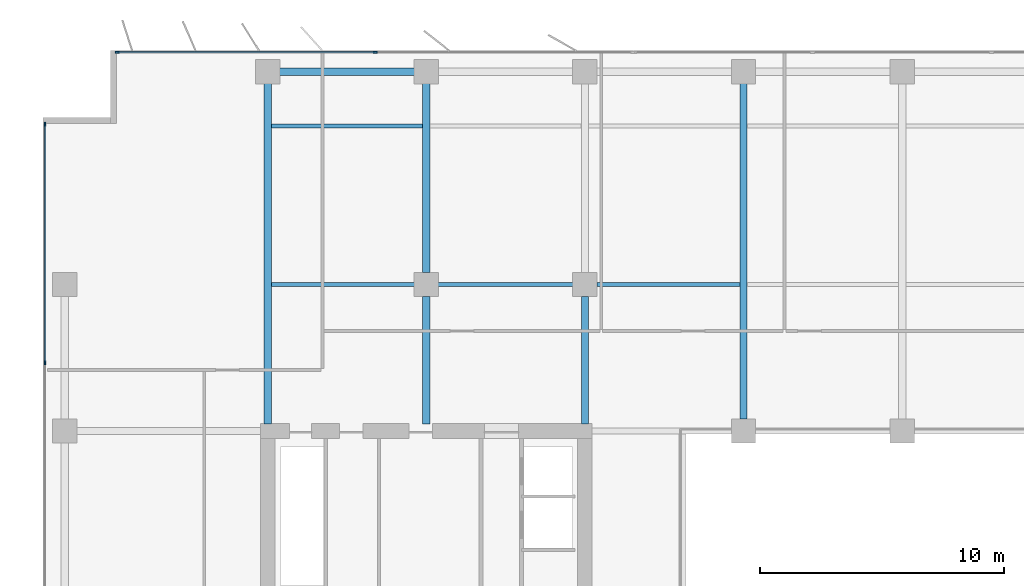
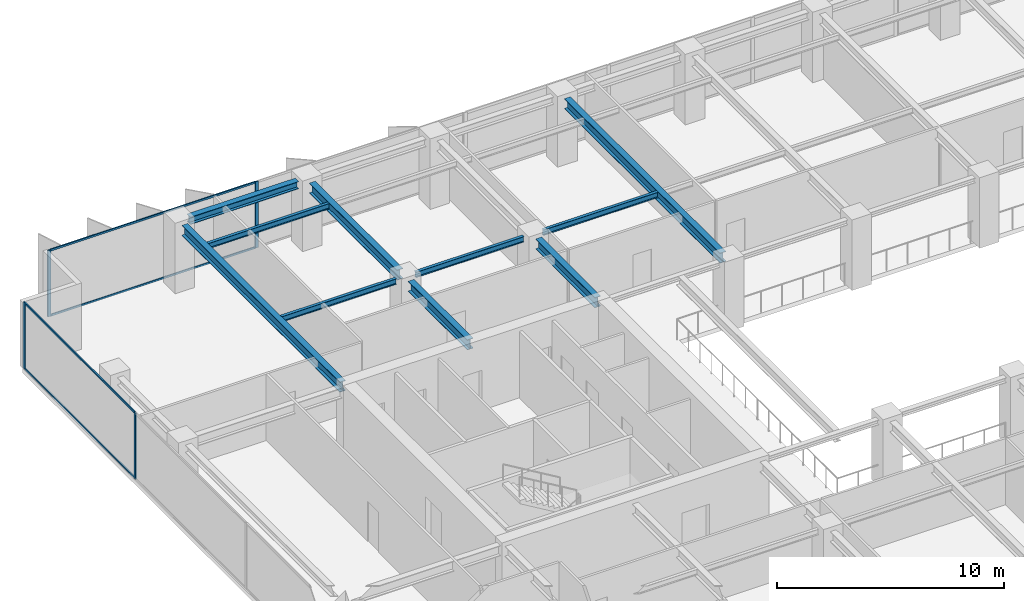
# One storey, part 8 of 22: 10 beams, 8 members, 2 elements without a shape of their own.
"""IFC4 building model written with IfcOpenShell, lengths in metres."""

from ifc_helpers import new_model, si_unit, direction, frame, origin, origin_2d, place, context, subcontext, project, spatial, rectangle, i_section, extrude, material, layer, layer_set, material_profile, profile_set, type_object, element, aggregate, save


model = new_model("IFC4")

# Units and contexts
model_context = context("Model", 3, precision=1e-05, world=origin(), true_north=direction((0.0, 1.0)))
body_context = subcontext(model_context, "Body", "Model", "MODEL_VIEW")
ifc_project = project(units=[si_unit("LENGTHUNIT", "METRE"), si_unit("AREAUNIT", "SQUARE_METRE"), si_unit("VOLUMEUNIT", "CUBIC_METRE"), si_unit("PLANEANGLEUNIT", "RADIAN"), si_unit("MASSUNIT", "GRAM", prefix="KILO")], contexts=[model_context])

# Site, building, storey
site_placement = place(None, origin())
site = spatial("IfcSite", under=ifc_project, at=site_placement, CompositionType="ELEMENT")
building_placement = place(site_placement, origin())
building = spatial("IfcBuilding", under=site, at=building_placement, Name="Putna Gate Headquarters", CompositionType="ELEMENT")
storey_placement = place(building_placement, frame((0.0, 0.0, 170.800048828125)))
storey = spatial("IfcBuildingStorey", under=building, at=storey_placement, Name="L42", CompositionType="ELEMENT", Elevation=170.800048828125)

# Beams
ifc_material_1 = material(Name="Steel S355J2", Category="steel")
ifc_material_profile_1 = material_profile(ifc_material_1, i_section(OverallWidth=0.300048828125, OverallDepth=0.550048828125, WebThickness=0.014892578125, FlangeThickness=0.029052734375, at=origin_2d()), Name="Steel S355J2")
ifc_profile_set_1 = profile_set([ifc_material_profile_1], Name="Steel S355J2")
beam_type_1 = type_object("IfcBeamType", Name="BM-GIRD-Z3-HEB550", PredefinedType="USERDEFINED", material=ifc_profile_set_1)
beam_1_placement = place(storey_placement, frame((13.0, 33.284912109375, 3.296875), z_axis=(0.0, 1.0, 0.0), x_axis=(-1.0, 0.0, 0.0)))
element("IfcBeam", 1, at=beam_1_placement, inside=storey, type_object=beam_type_1, Name="L42 North Primary Girder X13", ObjectType="GIRDER", PredefinedType="USERDEFINED", context=body_context, shape_type="SweptSolid", body=[
    extrude(i_section(OverallWidth=0.300048828125, OverallDepth=0.550048828125, WebThickness=0.014892578125, FlangeThickness=0.029052734375, at=origin_2d()), origin(), (0.0, 0.0, 1.0), 13.947021484375),
])
beam_2_placement = place(storey_placement, frame((19.5, 33.284912109375, 3.296875), z_axis=(0.0, 1.0, 0.0), x_axis=(-1.0, 0.0, 0.0)))
element("IfcBeam", 2, at=beam_2_placement, inside=storey, type_object=beam_type_1, Name="L42 North Primary Girder X19-1", ObjectType="GIRDER", PredefinedType="USERDEFINED", context=body_context, shape_type="SweptSolid", body=[
    extrude(i_section(OverallWidth=0.300048828125, OverallDepth=0.550048828125, WebThickness=0.014892578125, FlangeThickness=0.029052734375, at=origin_2d()), origin(), (0.0, 0.0, 1.0), 5.22705078125),
])
beam_3_placement = place(storey_placement, frame((19.5, 39.488037109375, 3.296875), z_axis=(0.0, 1.0, 0.0), x_axis=(-1.0, 0.0, 0.0)))
element("IfcBeam", 3, at=beam_3_placement, inside=storey, type_object=beam_type_1, Name="L42 North Primary Girder X19-2", ObjectType="GIRDER", PredefinedType="USERDEFINED", context=body_context, shape_type="SweptSolid", body=[
    extrude(i_section(OverallWidth=0.300048828125, OverallDepth=0.550048828125, WebThickness=0.014892578125, FlangeThickness=0.029052734375, at=origin_2d()), origin(), (0.0, 0.0, 1.0), 7.743896484375),
])
beam_4_placement = place(storey_placement, frame((26.0, 33.284912109375, 3.296875), z_axis=(0.0, 1.0, 0.0), x_axis=(-1.0, 0.0, 0.0)))
element("IfcBeam", 4, at=beam_4_placement, inside=storey, type_object=beam_type_1, Name="L42 North Primary Girder X26-1", ObjectType="GIRDER", PredefinedType="USERDEFINED", context=body_context, shape_type="SweptSolid", body=[
    extrude(i_section(OverallWidth=0.300048828125, OverallDepth=0.550048828125, WebThickness=0.014892578125, FlangeThickness=0.029052734375, at=origin_2d()), origin(), (0.0, 0.0, 1.0), 5.22705078125),
])
beam_5_placement = place(storey_placement, frame((32.5, 33.488037109375, 3.296875), z_axis=(0.0, 1.0, 0.0), x_axis=(-1.0, 0.0, 0.0)))
element("IfcBeam", 5, at=beam_5_placement, inside=storey, type_object=beam_type_1, Name="L42 North Primary Girder X32", ObjectType="GIRDER", PredefinedType="USERDEFINED", context=body_context, shape_type="SweptSolid", body=[
    extrude(i_section(OverallWidth=0.300048828125, OverallDepth=0.550048828125, WebThickness=0.014892578125, FlangeThickness=0.029052734375, at=origin_2d()), origin(), (0.0, 0.0, 1.0), 13.743896484375),
])
ifc_material_profile_2 = material_profile(ifc_material_1, i_section(OverallWidth=0.14990234375, OverallDepth=0.300048828125, WebThickness=0.007080078125, FlangeThickness=0.0107421875, at=origin_2d()), Name="Steel S355J2")
ifc_profile_set_2 = profile_set([ifc_material_profile_2], Name="Steel S355J2")
beam_type_2 = type_object("IfcBeamType", Name="BM-SEC-Z3-IPE300", PredefinedType="JOIST", material=ifc_profile_set_2)
beam_6_placement = place(storey_placement, frame((13.154052734375, 39.0, 3.421875), z_axis=(1.0, 0.0, 0.0), x_axis=(0.0, 1.0, 0.0)))
element("IfcBeam", 6, at=beam_6_placement, inside=storey, type_object=beam_type_2, Name="L42 North Secondary Beam 1", PredefinedType="JOIST", context=body_context, shape_type="SweptSolid", body=[
    extrude(i_section(OverallWidth=0.14990234375, OverallDepth=0.300048828125, WebThickness=0.007080078125, FlangeThickness=0.0107421875, at=origin_2d()), origin(), (0.0, 0.0, 1.0), 5.85791015625),
])
beam_7_placement = place(storey_placement, frame((13.154052734375, 45.5, 3.421875), z_axis=(1.0, 0.0, 0.0), x_axis=(0.0, 1.0, 0.0)))
element("IfcBeam", 7, at=beam_7_placement, inside=storey, type_object=beam_type_2, Name="L42 North Secondary Beam 1", PredefinedType="JOIST", context=body_context, shape_type="SweptSolid", body=[
    extrude(i_section(OverallWidth=0.14990234375, OverallDepth=0.300048828125, WebThickness=0.007080078125, FlangeThickness=0.0107421875, at=origin_2d()), origin(), (0.0, 0.0, 1.0), 6.19189453125),
])
beam_8_placement = place(storey_placement, frame((19.988037109375, 39.0, 3.421875), z_axis=(1.0, 0.0, 0.0), x_axis=(0.0, 1.0, 0.0)))
element("IfcBeam", 8, at=beam_8_placement, inside=storey, type_object=beam_type_2, Name="L42 North Secondary Beam 2", PredefinedType="JOIST", context=body_context, shape_type="SweptSolid", body=[
    extrude(i_section(OverallWidth=0.14990234375, OverallDepth=0.300048828125, WebThickness=0.007080078125, FlangeThickness=0.0107421875, at=origin_2d()), origin(), (0.0, 0.0, 1.0), 5.52392578125),
])
beam_9_placement = place(storey_placement, frame((26.488037109375, 39.0, 3.421875), z_axis=(1.0, 0.0, 0.0), x_axis=(0.0, 1.0, 0.0)))
element("IfcBeam", 9, at=beam_9_placement, inside=storey, type_object=beam_type_2, Name="L42 North Secondary Beam 3", PredefinedType="JOIST", context=body_context, shape_type="SweptSolid", body=[
    extrude(i_section(OverallWidth=0.14990234375, OverallDepth=0.300048828125, WebThickness=0.007080078125, FlangeThickness=0.0107421875, at=origin_2d()), origin(), (0.0, 0.0, 1.0), 5.85791015625),
])
ifc_material_profile_3 = material_profile(ifc_material_1, i_section(OverallWidth=0.300048828125, OverallDepth=0.39990234375, WebThickness=0.013427734375, FlangeThickness=0.02392578125, at=origin_2d()), Name="Steel S355J2")
ifc_profile_set_3 = profile_set([ifc_material_profile_3], Name="Steel S355J2")
beam_type_3 = type_object("IfcBeamType", Name="BM-SPAN-Z3-HEB400", PredefinedType="SPANDREL", material=ifc_profile_set_3)
beam_10_placement = place(storey_placement, frame((13.488037109375, 47.719970703125, 3.3720703125), z_axis=(1.0, 0.0, 0.0), x_axis=(0.0, 1.0, 0.0)))
element("IfcBeam", 10, at=beam_10_placement, inside=storey, type_object=beam_type_3, Name="L42 N Perimeter Spandrel 1", PredefinedType="SPANDREL", context=body_context, shape_type="SweptSolid", body=[
    extrude(i_section(OverallWidth=0.300048828125, OverallDepth=0.39990234375, WebThickness=0.013427734375, FlangeThickness=0.02392578125, at=origin_2d()), origin(), (0.0, 0.0, 1.0), 5.52392578125),
])

# Curtain wall, members
ifc_material_2 = material(Name="Anodised bronze aluminium curtain wall", Category="aluminium")
ifc_layer = layer(ifc_material_2, 0.159912109375)
ifc_layer_set = layer_set([ifc_layer], Name="Anodised bronze aluminium curtain wall")
curtain_wall_type = type_object("IfcCurtainWallType", Name="CW-SYS-Z3", PredefinedType="USERDEFINED", material=ifc_layer_set)
curtain_wall_1_placement = place(storey_placement, origin())
curtain_wall_1 = element("IfcCurtainWall", 11, at=curtain_wall_1_placement, inside=storey, type_object=curtain_wall_type, Name="L42 North West Curtain Wall", ObjectType="STICK CURTAIN WALL", PredefinedType="USERDEFINED")
ifc_material_3 = material(Name="Anodised bronze aluminium EN AW-6060", Category="aluminium")
ifc_material_profile_4 = material_profile(ifc_material_3, rectangle(XDim=0.06494140625, YDim=0.159912109375, at=origin_2d()), Name="Anodised bronze aluminium EN AW-6060")
ifc_profile_set_4 = profile_set([ifc_material_profile_4], Name="Anodised bronze aluminium EN AW-6060")
member_type_1 = type_object("IfcMemberType", Name="MULL-CWM-3", PredefinedType="MULLION", material=ifc_profile_set_4)
member_1_placement = place(storey_placement, frame((6.83251953125, 48.52001953125, 0.0), z_axis=(0.0, 0.0, 1.0), x_axis=(0.0, 1.0, 0.0)))
member_1 = element("IfcMember", 12, at=member_1_placement, type_object=member_type_1, Name="CWS-3 mullion 1", PredefinedType="MULLION", context=body_context, shape_type="SweptSolid", body=[
    extrude(rectangle(XDim=0.06494140625, YDim=0.159912109375, at=origin_2d()), origin(), (0.0, 0.0, 1.0), 3.572021484375),
])
member_2_placement = place(storey_placement, frame((17.39990234375, 48.52001953125, 0.0), z_axis=(0.0, 0.0, 1.0), x_axis=(0.0, 1.0, 0.0)))
member_2 = element("IfcMember", 13, at=member_2_placement, type_object=member_type_1, Name="CWS-3 mullion 2", PredefinedType="MULLION", context=body_context, shape_type="SweptSolid", body=[
    extrude(rectangle(XDim=0.06494140625, YDim=0.159912109375, at=origin_2d()), origin(), (0.0, 0.0, 1.0), 3.572021484375),
])

curtain_wall_2_placement = place(storey_placement, origin())
curtain_wall_2 = element("IfcCurtainWall", 14, at=curtain_wall_2_placement, inside=storey, type_object=curtain_wall_type, Name="L42 West Curtain Wall", ObjectType="STICK CURTAIN WALL", PredefinedType="USERDEFINED")
member_3_placement = place(storey_placement, frame((3.8798828125, 35.800048828125, 0.0), z_axis=(0.0, 0.0, 1.0), x_axis=(-1.0, 0.0, 0.0)))
member_3 = element("IfcMember", 15, at=member_3_placement, type_object=member_type_1, Name="CWS-3 mullion 4", PredefinedType="MULLION", context=body_context, shape_type="SweptSolid", body=[
    extrude(rectangle(XDim=0.06494140625, YDim=0.159912109375, at=origin_2d()), origin(), (0.0, 0.0, 1.0), 3.572021484375),
])
member_4_placement = place(storey_placement, frame((3.8798828125, 45.5673828125, 0.0), z_axis=(0.0, 0.0, 1.0), x_axis=(-1.0, 0.0, 0.0)))
member_4 = element("IfcMember", 16, at=member_4_placement, type_object=member_type_1, Name="CWS-3 mullion 5", PredefinedType="MULLION", context=body_context, shape_type="SweptSolid", body=[
    extrude(rectangle(XDim=0.06494140625, YDim=0.159912109375, at=origin_2d()), origin(), (0.0, 0.0, 1.0), 3.572021484375),
])

# Member
ifc_material_profile_5 = material_profile(ifc_material_3, rectangle(XDim=0.06005859375, YDim=0.10009765625, at=origin_2d()), Name="Anodised bronze aluminium EN AW-6060")
ifc_profile_set_5 = profile_set([ifc_material_profile_5], Name="Anodised bronze aluminium EN AW-6060")
member_type_2 = type_object("IfcMemberType", Name="TRAN-CWT-3", PredefinedType="USERDEFINED", material=ifc_profile_set_5)
member_5_placement = place(storey_placement, frame((6.864990234375, 48.52001953125, 0.030029296875), z_axis=(1.0, 0.0, 0.0), x_axis=(0.0, 1.0, 0.0)))
member_5 = element("IfcMember", 17, at=member_5_placement, type_object=member_type_2, Name="CWS-3 transom 1.1", ObjectType="TRANSOM", PredefinedType="USERDEFINED", context=body_context, shape_type="SweptSolid", body=[
    extrude(rectangle(XDim=0.06005859375, YDim=0.10009765625, at=origin_2d()), origin(), (0.0, 0.0, 1.0), 10.50244140625),
])

member_6_placement = place(storey_placement, frame((6.864990234375, 48.52001953125, 3.5419921875), z_axis=(1.0, 0.0, 0.0), x_axis=(0.0, 1.0, 0.0)))
member_6 = element("IfcMember", 18, at=member_6_placement, type_object=member_type_2, Name="CWS-3 transom 1.2", ObjectType="TRANSOM", PredefinedType="USERDEFINED", context=body_context, shape_type="SweptSolid", body=[
    extrude(rectangle(XDim=0.06005859375, YDim=0.10009765625, at=origin_2d()), origin(), (0.0, 0.0, 1.0), 10.50244140625),
])

aggregate(curtain_wall_1, [member_1, member_2, member_5, member_6])

member_7_placement = place(storey_placement, frame((3.8798828125, 35.83251953125, 0.030029296875), z_axis=(0.0, 1.0, 0.0), x_axis=(-1.0, 0.0, 0.0)))
member_7 = element("IfcMember", 19, at=member_7_placement, type_object=member_type_2, Name="CWS-3 transom 4.1", ObjectType="TRANSOM", PredefinedType="USERDEFINED", context=body_context, shape_type="SweptSolid", body=[
    extrude(rectangle(XDim=0.06005859375, YDim=0.10009765625, at=origin_2d()), origin(), (0.0, 0.0, 1.0), 9.702392578125),
])

member_8_placement = place(storey_placement, frame((3.8798828125, 35.83251953125, 3.5419921875), z_axis=(0.0, 1.0, 0.0), x_axis=(-1.0, 0.0, 0.0)))
member_8 = element("IfcMember", 20, at=member_8_placement, type_object=member_type_2, Name="CWS-3 transom 4.2", ObjectType="TRANSOM", PredefinedType="USERDEFINED", context=body_context, shape_type="SweptSolid", body=[
    extrude(rectangle(XDim=0.06005859375, YDim=0.10009765625, at=origin_2d()), origin(), (0.0, 0.0, 1.0), 9.702392578125),
])

aggregate(curtain_wall_2, [member_3, member_4, member_7, member_8])

save(model, "model.ifc")
